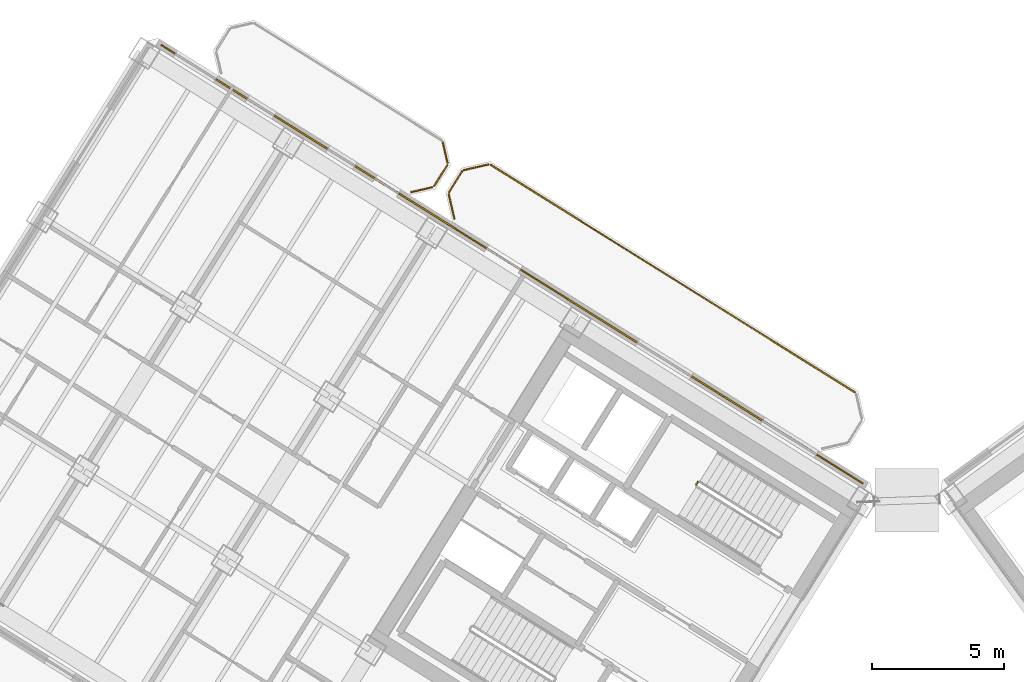
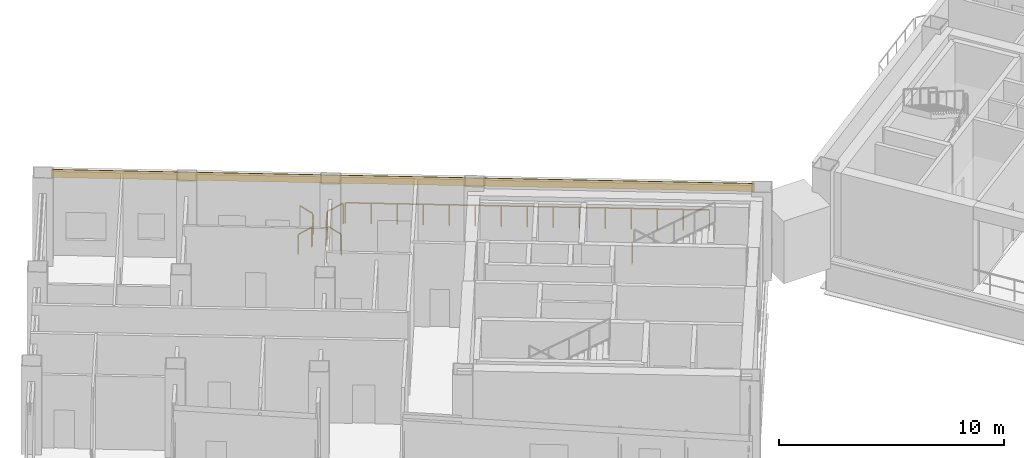
# One storey, part 19 of 22: 8 railings, 1 covering.
"""IFC4 building model written with IfcOpenShell, lengths in metres."""

from ifc_helpers import new_model, si_unit, direction, frame, origin, origin_2d, place, context, subcontext, project, spatial, rectangle, extrude, source, transform, mapped, material, layer, layer_set, type_object, element, save


model = new_model("IFC4")

# Units and contexts
model_context = context("Model", 3, precision=1e-05, world=origin(), true_north=direction((0.0, 1.0)))
body_context = subcontext(model_context, "Body", "Model", "MODEL_VIEW")
ifc_project = project(units=[si_unit("LENGTHUNIT", "METRE"), si_unit("AREAUNIT", "SQUARE_METRE"), si_unit("VOLUMEUNIT", "CUBIC_METRE"), si_unit("PLANEANGLEUNIT", "RADIAN"), si_unit("MASSUNIT", "GRAM", prefix="KILO")], contexts=[model_context])

# Site, building, storey
site_placement = place(None, origin())
site = spatial("IfcSite", under=ifc_project, at=site_placement, CompositionType="ELEMENT")
building_placement = place(site_placement, origin())
building = spatial("IfcBuilding", under=site, at=building_placement, Name="Tlacorven Tower", CompositionType="ELEMENT")
storey_placement = place(building_placement, frame((0.0, 0.0, 127.800048828125)))
storey = spatial("IfcBuildingStorey", under=building, at=storey_placement, Name="L32", CompositionType="ELEMENT", Elevation=127.800048828125)

# Railings
ifc_material_1 = material(Name="Aluminium and painted steel balustrade", Category="steel")
railing_type_1 = type_object("IfcRailingType", Name="RL-BAL-1100", PredefinedType="BALUSTRADE", material=ifc_material_1)
shared_shape_1 = source(origin(), body_context, "Body", "SweptSolid", [
    extrude(rectangle(XDim=0.048095703125, YDim=0.048095703125, at=origin_2d()), frame((0.0, 0.0, 1.076171875), z_axis=(0.225058334816, -0.974345290916, 0.0), x_axis=(0.974345290916, 0.225058334816, 0.0)), (0.0, 0.0, 1.0), 0.80712890625),
    extrude(rectangle(XDim=0.0419921875, YDim=0.0419921875, at=origin_2d()), origin(), (0.0, 0.0, 1.0), 1.052001953125),
    extrude(rectangle(XDim=0.0419921875, YDim=0.0419921875, at=origin_2d()), frame((0.181640625, -0.786376953125, 0.0)), (0.0, 0.0, 1.0), 1.052001953125),
])
railing_1_placement = place(storey_placement, frame((24.912841796875, 38.069580078125, 0.0)))
element("IfcRailing", 1, at=railing_1_placement, inside=storey, type_object=railing_type_1, Name="BAL-L32-W-IN Guard Railing 1", PredefinedType="BALUSTRADE", context=body_context, shape_type="MappedRepresentation", body=[
    mapped(shared_shape_1, transform((0.0, 0.0, 0.0), scale=1.0)),
])
shared_shape_2 = source(origin(), body_context, "Body", "SweptSolid", [
    extrude(rectangle(XDim=0.048095703125, YDim=0.048095703125, at=origin_2d()), frame((0.0, 0.0, 1.076171875), z_axis=(-0.52987865805, -0.848073468364, 0.0), x_axis=(0.848073468364, -0.52987865805, 0.0)), (0.0, 0.0, 1.0), 0.912353515625),
    extrude(rectangle(XDim=0.0419921875, YDim=0.0419921875, at=origin_2d()), origin(), (0.0, 0.0, 1.0), 1.052001953125),
    extrude(rectangle(XDim=0.0419921875, YDim=0.0419921875, at=origin_2d()), frame((-0.4833984375, -0.773681640625, 0.0)), (0.0, 0.0, 1.0), 1.052001953125),
])
railing_2_placement = place(storey_placement, frame((25.079345703125, 37.192138671875, 0.0)))
element("IfcRailing", 2, at=railing_2_placement, inside=storey, type_object=railing_type_1, Name="BAL-L32-W-IN Guard Railing 2", PredefinedType="BALUSTRADE", context=body_context, shape_type="MappedRepresentation", body=[
    mapped(shared_shape_2, transform((0.0, 0.0, 0.0), scale=1.0)),
])

# Covering
ifc_material_2 = material(Name="Precast concrete C45/55", Category="concrete")
ifc_layer = layer(ifc_material_2, 0.06005859375)
ifc_layer_set = layer_set([ifc_layer], Name="Precast concrete C45/55")
covering_type = type_object("IfcCoveringType", Name="CV-CLD-TERC", PredefinedType="CLADDING", material=ifc_layer_set)
shared_shape_3 = source(origin(), body_context, "Body", "SweptSolid", [
    extrude(rectangle(XDim=31.287353515625, YDim=0.06005859375, at=origin_2d()), origin(), (0.0, 0.0, 1.0), 0.419921875),
])
covering_placement = place(storey_placement, frame((27.5322265625, 33.455810546875, 4.1298828125), z_axis=(0.0, 0.0, 1.0), x_axis=(0.84804812172, -0.529919223323, 0.0)))
element("IfcCovering", 3, at=covering_placement, inside=storey, type_object=covering_type, Name="L32 Masonry-Frame Spandrel Cladding 3", PredefinedType="CLADDING", context=body_context, shape_type="MappedRepresentation", body=[
    mapped(shared_shape_3, transform((0.0, 0.0, 0.0), scale=1.0)),
])

# Railings
railing_type_2 = type_object("IfcRailingType", Name="RL-GRD-1150", PredefinedType="GUARDRAIL", material=ifc_material_1)
shared_shape_4 = source(origin(), body_context, "Body", "SweptSolid", [
    extrude(rectangle(XDim=0.048095703125, YDim=0.048095703125, at=origin_2d()), frame((0.0, 0.0, 1.1259765625), z_axis=(0.974373842523, 0.224934690535, 0.0), x_axis=(-0.224934690535, 0.974373842523, 0.0)), (0.0, 0.0, 1.0), 0.94873046875),
    extrude(rectangle(XDim=0.0419921875, YDim=0.0419921875, at=origin_2d()), origin(), (0.0, 0.0, 1.0), 1.101806640625),
    extrude(rectangle(XDim=0.0419921875, YDim=0.0419921875, at=origin_2d()), frame((0.92431640625, 0.21337890625, 0.0)), (0.0, 0.0, 1.0), 1.101806640625),
])
railing_3_placement = place(storey_placement, frame((25.71630859375, 37.012451171875, 0.0)))
element("IfcRailing", 4, at=railing_3_placement, inside=storey, type_object=railing_type_2, Name="TER-L32-SGW Guard Railing 6", PredefinedType="GUARDRAIL", context=body_context, shape_type="MappedRepresentation", body=[
    mapped(shared_shape_4, transform((0.0, 0.0, 0.0), scale=1.0)),
])
shared_shape_5 = source(origin(), body_context, "Body", "SweptSolid", [
    extrude(rectangle(XDim=0.048095703125, YDim=0.048095703125, at=origin_2d()), frame((0.0, 0.0, 1.076171875), z_axis=(-0.974426863277, -0.22470489119, 0.0), x_axis=(0.22470489119, -0.974426863277, 0.0)), (0.0, 0.0, 1.0), 0.807373046875),
    extrude(rectangle(XDim=0.0419921875, YDim=0.0419921875, at=origin_2d()), origin(), (0.0, 0.0, 1.0), 1.052001953125),
    extrude(rectangle(XDim=0.0419921875, YDim=0.0419921875, at=origin_2d()), frame((-0.78662109375, -0.181396484375, 0.0)), (0.0, 0.0, 1.0), 1.052001953125),
])
railing_4_placement = place(storey_placement, frame((24.520751953125, 36.36474609375, 0.0)))
element("IfcRailing", 5, at=railing_4_placement, inside=storey, type_object=railing_type_1, Name="BAL-L32-W-IN Guard Railing 3", PredefinedType="BALUSTRADE", context=body_context, shape_type="MappedRepresentation", body=[
    mapped(shared_shape_5, transform((0.0, 0.0, 0.0), scale=1.0)),
])
shared_shape_6 = source(origin(), body_context, "Body", "SweptSolid", [
    extrude(rectangle(XDim=0.048095703125, YDim=0.048095703125, at=origin_2d()), frame((0.0, 0.0, 1.1259765625), z_axis=(-0.224690328384, 0.974430221376, 0.0), x_axis=(-0.974430221376, -0.224690328384, 0.0)), (0.0, 0.0, 1.0), 0.948486328125),
    extrude(rectangle(XDim=0.0419921875, YDim=0.0419921875, at=origin_2d()), origin(), (0.0, 0.0, 1.0), 1.101806640625),
    extrude(rectangle(XDim=0.0419921875, YDim=0.0419921875, at=origin_2d()), frame((-0.213134765625, 0.92431640625, 0.0)), (0.0, 0.0, 1.0), 1.101806640625),
])
railing_5_placement = place(storey_placement, frame((25.355712890625, 35.169921875, 0.0)))
element("IfcRailing", 6, at=railing_5_placement, inside=storey, type_object=railing_type_2, Name="TER-L32-SGW Guard Railing 4", PredefinedType="GUARDRAIL", context=body_context, shape_type="MappedRepresentation", body=[
    mapped(shared_shape_6, transform((0.0, 0.0, 0.0), scale=1.0)),
])
shared_shape_7 = source(origin(), body_context, "Body", "SweptSolid", [
    extrude(rectangle(XDim=0.048095703125, YDim=0.048095703125, at=origin_2d()), frame((0.0, 0.0, 1.1259765625), z_axis=(0.52987865805, 0.848073468364, 0.0), x_axis=(-0.848073468364, 0.52987865805, 0.0)), (0.0, 0.0, 1.0), 0.912353515625),
    extrude(rectangle(XDim=0.0419921875, YDim=0.0419921875, at=origin_2d()), origin(), (0.0, 0.0, 1.0), 1.101806640625),
    extrude(rectangle(XDim=0.0419921875, YDim=0.0419921875, at=origin_2d()), frame((0.4833984375, 0.773681640625, 0.0)), (0.0, 0.0, 1.0), 1.101806640625),
])
railing_6_placement = place(storey_placement, frame((25.15771484375, 36.185302734375, 0.0)))
element("IfcRailing", 7, at=railing_6_placement, inside=storey, type_object=railing_type_2, Name="TER-L32-SGW Guard Railing 5", PredefinedType="GUARDRAIL", context=body_context, shape_type="MappedRepresentation", body=[
    mapped(shared_shape_7, transform((0.0, 0.0, 0.0), scale=1.0)),
])
shared_shape_8 = source(origin(), body_context, "Body", "SweptSolid", [
    extrude(rectangle(XDim=0.048095703125, YDim=0.048095703125, at=origin_2d()), frame((0.0, 0.0, 1.1259765625), z_axis=(0.848049045561, -0.529917744865, 0.0), x_axis=(0.529917744865, 0.848049045561, 0.0)), (0.0, 0.0, 1.0), 16.217041015625),
    extrude(rectangle(XDim=0.0419921875, YDim=0.0419921875, at=origin_2d()), origin(), (0.0, 0.0, 1.0), 1.101806640625),
    extrude(rectangle(XDim=0.0419921875, YDim=0.0419921875, at=origin_2d()), frame((0.982421875, -0.61376953125, 0.0)), (0.0, 0.0, 1.0), 1.101806640625),
    extrude(rectangle(XDim=0.0419921875, YDim=0.0419921875, at=origin_2d()), frame((1.964599609375, -1.227783203125, 0.0)), (0.0, 0.0, 1.0), 1.101806640625),
    extrude(rectangle(XDim=0.0419921875, YDim=0.0419921875, at=origin_2d()), frame((2.947021484375, -1.841552734375, 0.0)), (0.0, 0.0, 1.0), 1.101806640625),
    extrude(rectangle(XDim=0.0419921875, YDim=0.0419921875, at=origin_2d()), frame((3.929443359375, -2.455322265625, 0.0)), (0.0, 0.0, 1.0), 1.101806640625),
    extrude(rectangle(XDim=0.0419921875, YDim=0.0419921875, at=origin_2d()), frame((4.911865234375, -3.069091796875, 0.0)), (0.0, 0.0, 1.0), 1.101806640625),
    extrude(rectangle(XDim=0.0419921875, YDim=0.0419921875, at=origin_2d()), frame((5.89404296875, -3.68310546875, 0.0)), (0.0, 0.0, 1.0), 1.101806640625),
    extrude(rectangle(XDim=0.0419921875, YDim=0.0419921875, at=origin_2d()), frame((6.87646484375, -4.296875, 0.0)), (0.0, 0.0, 1.0), 1.101806640625),
    extrude(rectangle(XDim=0.0419921875, YDim=0.0419921875, at=origin_2d()), frame((7.85888671875, -4.91064453125, 0.0)), (0.0, 0.0, 1.0), 1.101806640625),
    extrude(rectangle(XDim=0.0419921875, YDim=0.0419921875, at=origin_2d()), frame((8.841064453125, -5.524658203125, 0.0)), (0.0, 0.0, 1.0), 1.101806640625),
    extrude(rectangle(XDim=0.0419921875, YDim=0.0419921875, at=origin_2d()), frame((9.823486328125, -6.138427734375, 0.0)), (0.0, 0.0, 1.0), 1.101806640625),
    extrude(rectangle(XDim=0.0419921875, YDim=0.0419921875, at=origin_2d()), frame((10.805908203125, -6.752197265625, 0.0)), (0.0, 0.0, 1.0), 1.101806640625),
    extrude(rectangle(XDim=0.0419921875, YDim=0.0419921875, at=origin_2d()), frame((11.788330078125, -7.365966796875, 0.0)), (0.0, 0.0, 1.0), 1.101806640625),
    extrude(rectangle(XDim=0.0419921875, YDim=0.0419921875, at=origin_2d()), frame((12.7705078125, -7.97998046875, 0.0)), (0.0, 0.0, 1.0), 1.101806640625),
    extrude(rectangle(XDim=0.0419921875, YDim=0.0419921875, at=origin_2d()), frame((13.7529296875, -8.59375, 0.0)), (0.0, 0.0, 1.0), 1.101806640625),
])
railing_7_placement = place(storey_placement, frame((26.731689453125, 37.210693359375, 0.0)))
element("IfcRailing", 8, at=railing_7_placement, inside=storey, type_object=railing_type_2, Name="TER-L32-SGW Guard Railing 7", PredefinedType="GUARDRAIL", context=body_context, shape_type="MappedRepresentation", body=[
    mapped(shared_shape_8, transform((0.0, 0.0, 0.0), scale=1.0)),
])
railing_type_3 = type_object("IfcRailingType", Name="RL-GRD-1100", PredefinedType="GUARDRAIL", material=ifc_material_1)
shared_shape_9 = source(origin(), body_context, "Body", "SweptSolid", [
    extrude(rectangle(XDim=0.048095703125, YDim=0.048095703125, at=origin_2d()), frame((0.0, 0.0, 1.076171875), z_axis=(-0.529998940003, -0.847998304005, 0.0), x_axis=(0.847998304005, -0.529998940003, 0.0)), (0.0, 0.0, 1.0), 0.119873046875),
    extrude(rectangle(XDim=0.0419921875, YDim=0.0419921875, at=origin_2d()), origin(), (0.0, 0.0, 1.0), 1.052001953125),
    extrude(rectangle(XDim=0.0419921875, YDim=0.0419921875, at=origin_2d()), frame((-0.0634765625, -0.1015625, 0.0)), (0.0, 0.0, 1.0), 1.052001953125),
])
railing_8_placement = place(storey_placement, frame((34.556396484375, 25.222412109375, 2.39990234375)))
element("IfcRailing", 9, at=railing_8_placement, inside=storey, type_object=railing_type_3, Name="L32 ST-W2 stair guard 2", PredefinedType="GUARDRAIL", context=body_context, shape_type="MappedRepresentation", body=[
    mapped(shared_shape_9, transform((0.0, 0.0, 0.0), scale=1.0)),
])

save(model, "model.ifc")
